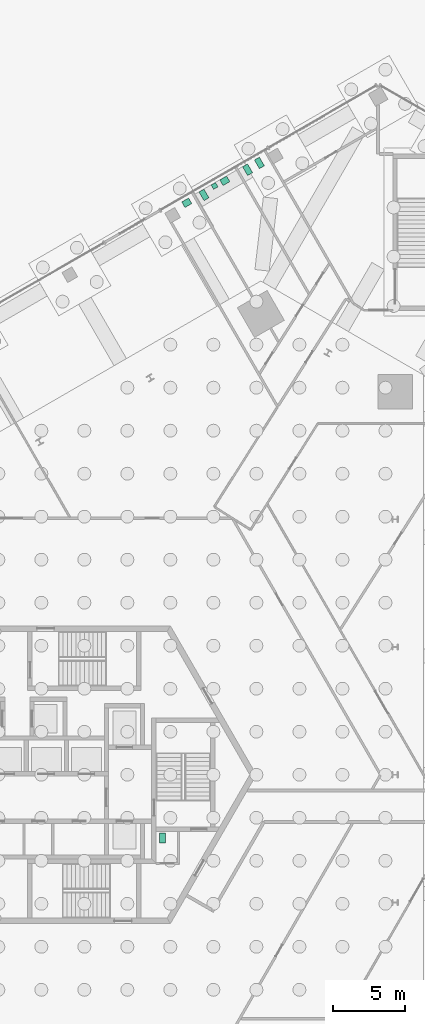
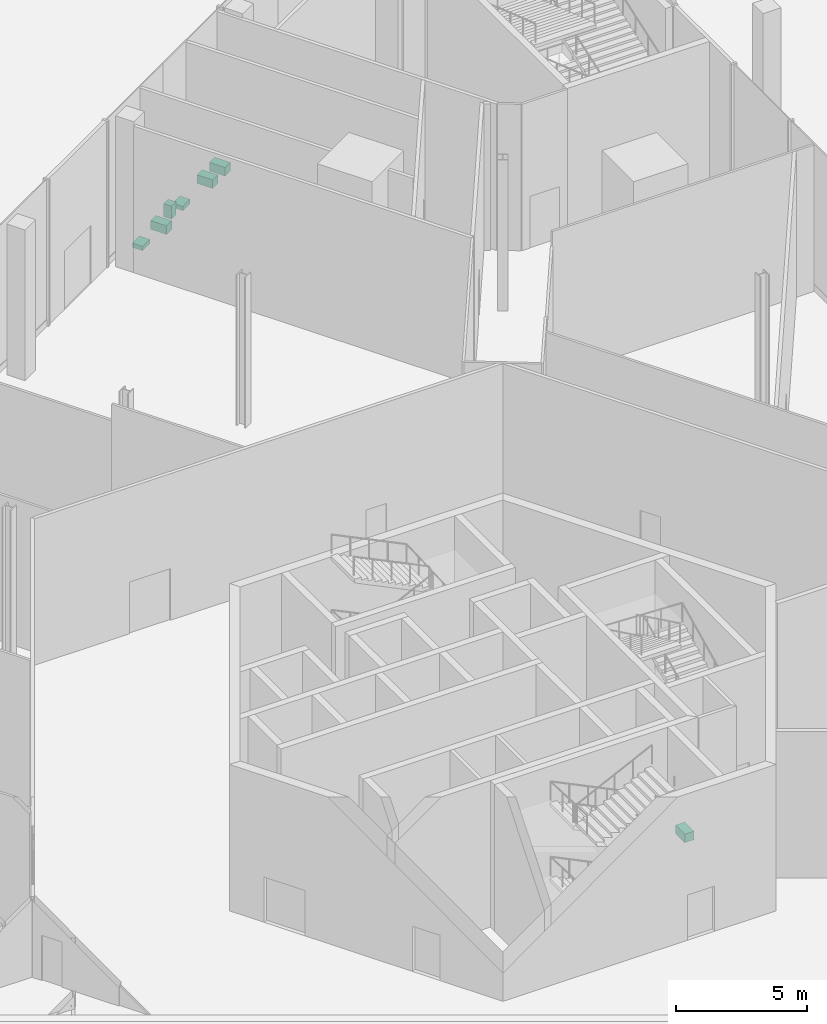
# One storey, part 26 of 27: 7 sanitary terminals.
"""IFC4 building model written with IfcOpenShell, lengths in metres."""

from ifc_helpers import new_model, si_unit, direction, frame, origin, origin_2d, place, context, subcontext, project, spatial, rectangle, extrude, source, transform, mapped, material, element, save


model = new_model("IFC4")

# Units and contexts
model_context = context("Model", 3, precision=1e-05, world=origin(), true_north=direction((0.0, 1.0)))
body_context = subcontext(model_context, "Body", "Model", "MODEL_VIEW")
ifc_project = project(units=[si_unit("LENGTHUNIT", "METRE"), si_unit("AREAUNIT", "SQUARE_METRE"), si_unit("VOLUMEUNIT", "CUBIC_METRE"), si_unit("PLANEANGLEUNIT", "RADIAN"), si_unit("MASSUNIT", "GRAM", prefix="KILO")], contexts=[model_context])

# Site, building, storey
site_placement = place(None, origin())
site = spatial("IfcSite", under=ifc_project, at=site_placement, CompositionType="ELEMENT")
building_placement = place(site_placement, origin())
building = spatial("IfcBuilding", under=site, at=building_placement, Name="Triune Harvest Tower", CompositionType="ELEMENT")
storey_placement = place(building_placement, origin())
storey = spatial("IfcBuildingStorey", under=building, at=storey_placement, Name="L00", CompositionType="ELEMENT", Elevation=0.0)

# Sanitary terminals
ifc_material = material(Name="Vitreous china")
shared_shape_1 = source(origin(), body_context, "Body", "SweptSolid", [
    extrude(rectangle(XDim=0.39990234375, YDim=0.699951171875, at=origin_2d()), origin(), (0.0, 0.0, 1.0), 0.39990234375),
])
for number, where, z_axis, x_axis, name in (
    (1, (5.449951171875, -4.39990234375, 0.0), (0.0, 0.0, 1.0), (1.0, 0.0, 0.0), "Toilet pan L00.c01"),
    (2, (11.3876953125, 42.2021484375, 0.0), (0.0, 0.0, 1.0), (0.866025403784, 0.5, 0.0), "Toilet pan 01"),
    (3, (12.21044921875, 42.67724609375, 0.0), (0.0, 0.0, 1.0), (0.866025403784, 0.5, 0.0), "Toilet pan 02"),
    (4, (8.345947265625, 40.44580078125, 0.0), (0.0, 0.0, 1.0), (0.866025403784, 0.5, 0.0), "Toilet pan 03"),
):
    element("IfcSanitaryTerminal", number, at=place(storey_placement, frame(where, z_axis=z_axis, x_axis=x_axis)), inside=storey, material=ifc_material, Name=name, PredefinedType="TOILETPAN", context=body_context, shape_type="MappedRepresentation", body=[
        mapped(shared_shape_1, transform((0.0, 0.0, 0.0), scale=1.0)),
    ])
shared_shape_2 = source(origin(), body_context, "Body", "SweptSolid", [
    extrude(rectangle(XDim=0.35009765625, YDim=0.35009765625, at=origin_2d()), origin(), (0.0, 0.0, 1.0), 0.60009765625),
])
sanitary_terminal_placement = place(storey_placement, frame((9.0810546875, 41.072509765625, 0.0), z_axis=(0.0, 0.0, 1.0), x_axis=(0.866025403784, 0.5, 0.0)))
element("IfcSanitaryTerminal", 5, at=sanitary_terminal_placement, inside=storey, material=ifc_material, Name="Urinal 04", PredefinedType="URINAL", context=body_context, shape_type="MappedRepresentation", body=[
    mapped(shared_shape_2, transform((0.0, 0.0, 0.0), scale=1.0)),
])
shared_shape_3 = source(origin(), body_context, "Body", "SweptSolid", [
    extrude(rectangle(XDim=0.550048828125, YDim=0.449951171875, at=origin_2d()), origin(), (0.0, 0.0, 1.0), 0.199951171875),
])
for number, where, z_axis, x_axis, name in (
    (6, (9.799072265625, 41.42919921875, 0.0), (0.0, 0.0, 1.0), (0.866025403784, 0.5, 0.0), "Wash basin 05"),
    (7, (7.143798828125, 39.896240234375, 0.0), (0.0, 0.0, 1.0), (0.866007949964, 0.500030229685, 0.0), "Wash basin 06"),
):
    element("IfcSanitaryTerminal", number, at=place(storey_placement, frame(where, z_axis=z_axis, x_axis=x_axis)), inside=storey, material=ifc_material, Name=name, PredefinedType="WASHHANDBASIN", context=body_context, shape_type="MappedRepresentation", body=[
        mapped(shared_shape_3, transform((0.0, 0.0, 0.0), scale=1.0)),
    ])

save(model, "model.ifc")
